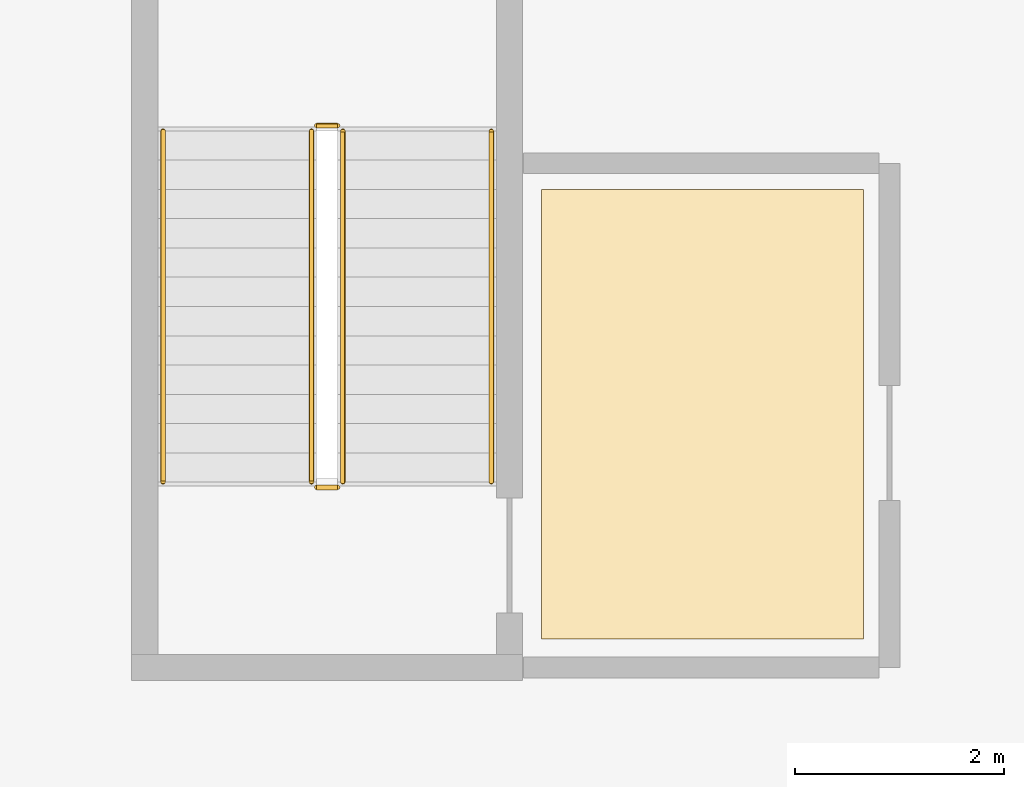
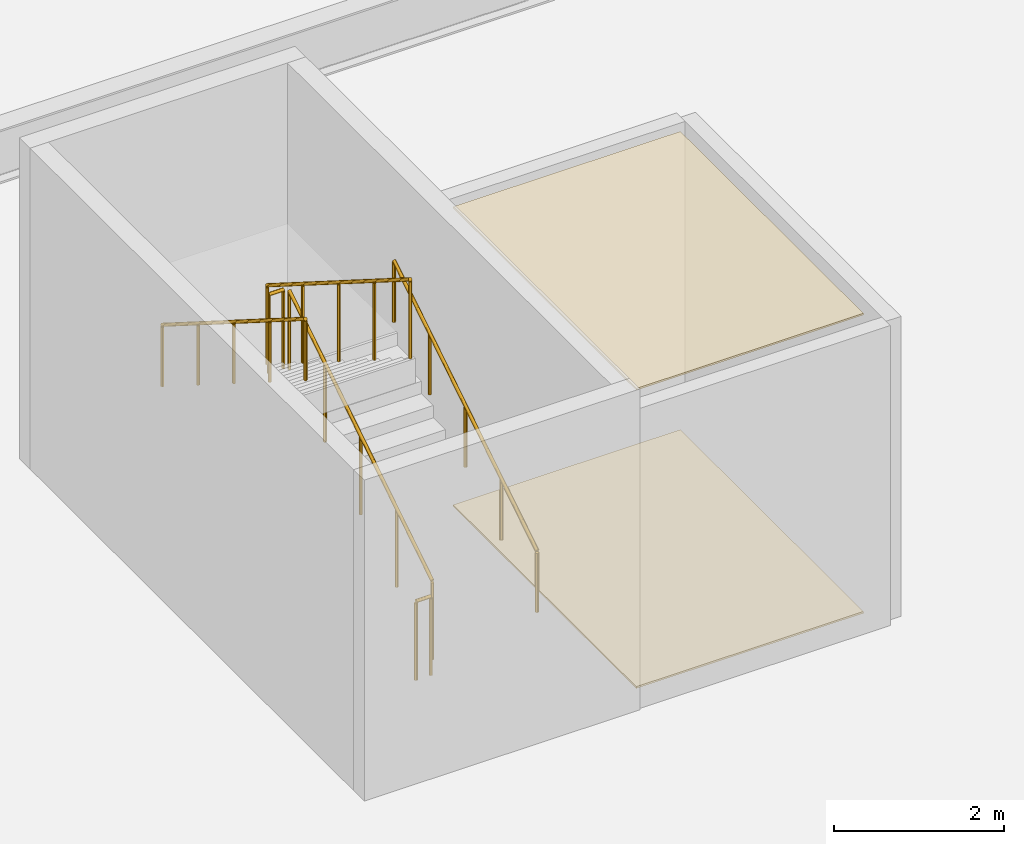
# One storey, part 32 of 45: 6 railings, 2 coverings.
"""IFC4 building model written with IfcOpenShell, lengths in metres."""

from ifc_helpers import new_model, si_unit, direction, frame, origin, origin_2d, place, context, subcontext, project, spatial, polyline, circle, outline, extrude, material, layer, layer_set, type_object, element, save


model = new_model("IFC4")

# Units and contexts
model_context = context("Model", 3, precision=1e-05, world=origin(), true_north=direction((0.0, 1.0)))
body_context = subcontext(model_context, "Body", "Model", "MODEL_VIEW")
ifc_project = project(units=[si_unit("LENGTHUNIT", "METRE"), si_unit("AREAUNIT", "SQUARE_METRE"), si_unit("VOLUMEUNIT", "CUBIC_METRE"), si_unit("PLANEANGLEUNIT", "RADIAN"), si_unit("MASSUNIT", "GRAM", prefix="KILO")], contexts=[model_context])

# Site, building, storey
site_placement = place(None, origin())
site = spatial("IfcSite", under=ifc_project, at=site_placement, CompositionType="ELEMENT")
building_placement = place(site_placement, origin())
building = spatial("IfcBuilding", under=site, at=building_placement, Name="Korimba Cascade Residences", CompositionType="ELEMENT")
storey_placement = place(building_placement, frame((0.0, 0.0, 5.39990234375)))
storey = spatial("IfcBuildingStorey", under=building, at=storey_placement, Name="L01", CompositionType="ELEMENT", Elevation=5.39990234375)

# Coverings
ifc_material_1 = material(Name="Perforated Acoustic Gypsum Ceiling", Category="gypsum")
ifc_layer_1 = layer(ifc_material_1, 0.02490234375)
ifc_layer_set_1 = layer_set([ifc_layer_1], Name="Perforated Acoustic Gypsum Ceiling")
covering_type_1 = type_object("IfcCoveringType", Name="COV-CLG-AC", PredefinedType="CEILING", material=ifc_layer_set_1)
covering_1_placement = place(storey_placement, frame((0.0, 0.0, 4.275146484375)))
element("IfcCovering", 1, at=covering_1_placement, inside=storey, type_object=covering_type_1, Name="L01 Suspended Acoustic Ceiling L01-PL3", PredefinedType="CEILING", context=body_context, shape_type="SweptSolid", body=[
    extrude(outline(polyline([(61.669921875, -12.64990234375), (64.75, -12.64990234375), (64.75, -8.35009765625), (61.669921875, -8.35009765625), (61.669921875, -12.64990234375)])), origin(), (0.0, 0.0, 1.0), 0.02490234375),
])
ifc_material_2 = material(Name="Honed Travertine Stone Flooring", Category="masonry")
ifc_layer_2 = layer(ifc_material_2, 0.02490234375)
ifc_layer_set_2 = layer_set([ifc_layer_2], Name="Honed Travertine Stone Flooring")
covering_type_2 = type_object("IfcCoveringType", Name="COV-FLR-STN", PredefinedType="FLOORING", material=ifc_layer_set_2)
covering_2_placement = place(storey_placement, origin())
element("IfcCovering", 2, at=covering_2_placement, inside=storey, type_object=covering_type_2, Name="L01 Honed Travertine Stone Flooring L01-PL3", PredefinedType="FLOORING", context=body_context, shape_type="SweptSolid", body=[
    extrude(outline(polyline([(61.669921875, -12.64990234375), (64.75, -12.64990234375), (64.75, -8.35009765625), (61.669921875, -8.35009765625), (61.669921875, -12.64990234375)])), origin(), (0.0, 0.0, 1.0), 0.025146484375),
])

# Railings
ifc_material_3 = material(Name="Painted Steel Stairwell Guardrail", Category="steel")
railing_type_1 = type_object("IfcRailingType", Name="RLG-ST-GD1150", PredefinedType="GUARDRAIL", material=ifc_material_3)
railing_1_placement = place(storey_placement, frame((59.77001953125, -11.14990234375, 0.177001953125)))
element("IfcRailing", 3, at=railing_1_placement, inside=storey, type_object=railing_type_1, Name="L01 ST-P3 stair guard 1", PredefinedType="GUARDRAIL", context=body_context, shape_type="SweptSolid", body=[
    extrude(circle(Radius=0.02392578125, at=origin_2d()), frame((0.0, 0.0, 1.1259765625), z_axis=(0.0, 0.845372108799, 0.534177870812), x_axis=(-1.0, 0.0, 0.0)), (0.0, 0.0, 1.0), 3.974365234375),
    extrude(circle(Radius=0.02099609375, at=origin_2d()), origin(), (0.0, 0.0, 1.0), 1.101806640625),
    extrude(circle(Radius=0.02099609375, at=origin_2d()), frame((0.0, 0.83984375, 0.53076171875)), (0.0, 0.0, 1.0), 1.101806640625),
    extrude(circle(Radius=0.02099609375, at=origin_2d()), frame((0.0, 1.679931640625, 1.0615234375)), (0.0, 0.0, 1.0), 1.101806640625),
    extrude(circle(Radius=0.02099609375, at=origin_2d()), frame((0.0, 2.52001953125, 1.59228515625)), (0.0, 0.0, 1.0), 1.101806640625),
    extrude(circle(Radius=0.02099609375, at=origin_2d()), frame((0.0, 3.35986328125, 2.123046875)), (0.0, 0.0, 1.0), 1.101806640625),
])
railing_2_placement = place(storey_placement, frame((59.719970703125, -7.739990234375, 2.300048828125)))
element("IfcRailing", 4, at=railing_2_placement, inside=storey, type_object=railing_type_1, Name="L01 ST-P3 stair guard 2", PredefinedType="GUARDRAIL", context=body_context, shape_type="SweptSolid", body=[
    extrude(circle(Radius=0.02392578125, at=origin_2d()), frame((0.0, 0.0, 1.1259765625), z_axis=(-1.0, 0.0, 0.0), x_axis=(0.0, -1.0, 0.0)), (0.0, 0.0, 1.0), 0.199951171875),
    extrude(circle(Radius=0.02099609375, at=origin_2d()), origin(), (0.0, 0.0, 1.0), 1.101806640625),
    extrude(circle(Radius=0.02099609375, at=origin_2d()), frame((-0.199951171875, 0.0, 0.0)), (0.0, 0.0, 1.0), 1.101806640625),
])
railing_3_placement = place(storey_placement, frame((59.469970703125, -7.7900390625, 2.47705078125)))
element("IfcRailing", 5, at=railing_3_placement, inside=storey, type_object=railing_type_1, Name="L01 ST-P3 stair guard 3", PredefinedType="GUARDRAIL", context=body_context, shape_type="SweptSolid", body=[
    extrude(circle(Radius=0.02392578125, at=origin_2d()), frame((0.0, 0.0, 1.1259765625), z_axis=(0.0, -0.845372108799, 0.534177870812), x_axis=(1.0, 0.0, 0.0)), (0.0, 0.0, 1.0), 3.974365234375),
    extrude(circle(Radius=0.02099609375, at=origin_2d()), origin(), (0.0, 0.0, 1.0), 1.101806640625),
    extrude(circle(Radius=0.02099609375, at=origin_2d()), frame((0.0, -0.83984375, 0.53076171875)), (0.0, 0.0, 1.0), 1.101806640625),
    extrude(circle(Radius=0.02099609375, at=origin_2d()), frame((0.0, -1.679931640625, 1.0615234375)), (0.0, 0.0, 1.0), 1.101806640625),
    extrude(circle(Radius=0.02099609375, at=origin_2d()), frame((0.0, -2.52001953125, 1.59228515625)), (0.0, 0.0, 1.0), 1.101806640625),
    extrude(circle(Radius=0.02099609375, at=origin_2d()), frame((0.0, -3.35986328125, 2.123046875)), (0.0, 0.0, 1.0), 1.101806640625),
])
railing_4_placement = place(storey_placement, frame((59.719970703125, -11.199951171875, 0.0)))
element("IfcRailing", 6, at=railing_4_placement, inside=storey, type_object=railing_type_1, Name="L01 ST-P3 stair guard 4", PredefinedType="GUARDRAIL", context=body_context, shape_type="SweptSolid", body=[
    extrude(circle(Radius=0.02392578125, at=origin_2d()), frame((0.0, 0.0, 1.1259765625), z_axis=(-1.0, 0.0, 0.0), x_axis=(0.0, -1.0, 0.0)), (0.0, 0.0, 1.0), 0.199951171875),
    extrude(circle(Radius=0.02099609375, at=origin_2d()), origin(), (0.0, 0.0, 1.0), 1.101806640625),
    extrude(circle(Radius=0.02099609375, at=origin_2d()), frame((-0.199951171875, 0.0, 0.0)), (0.0, 0.0, 1.0), 1.101806640625),
])
ifc_material_4 = material(Name="Brushed Stainless Steel Handrail", Category="steel")
railing_type_2 = type_object("IfcRailingType", Name="RLG-ST-HR900", PredefinedType="HANDRAIL", material=ifc_material_4)
railing_5_placement = place(storey_placement, frame((61.18994140625, -11.14990234375, 0.357666015625)))
element("IfcRailing", 7, at=railing_5_placement, inside=storey, type_object=railing_type_2, Name="L01 ST-P3 stair handrail 1", PredefinedType="HANDRAIL", context=body_context, shape_type="SweptSolid", body=[
    extrude(circle(Radius=0.02392578125, at=origin_2d()), frame((0.0, 0.0, 0.8759765625), z_axis=(0.0, 0.845372108799, 0.534177870812), x_axis=(-1.0, 0.0, 0.0)), (0.0, 0.0, 1.0), 3.974365234375),
    extrude(circle(Radius=0.02099609375, at=origin_2d()), origin(), (0.0, 0.0, 1.0), 0.851806640625),
    extrude(circle(Radius=0.02099609375, at=origin_2d()), frame((0.0, 0.83984375, 0.53076171875)), (0.0, 0.0, 1.0), 0.851806640625),
    extrude(circle(Radius=0.02099609375, at=origin_2d()), frame((0.0, 1.679931640625, 1.0615234375)), (0.0, 0.0, 1.0), 0.851806640625),
    extrude(circle(Radius=0.02099609375, at=origin_2d()), frame((0.0, 2.52001953125, 1.59228515625)), (0.0, 0.0, 1.0), 0.851806640625),
    extrude(circle(Radius=0.02099609375, at=origin_2d()), frame((0.0, 3.35986328125, 2.123046875)), (0.0, 0.0, 1.0), 0.851806640625),
])
railing_6_placement = place(storey_placement, frame((58.050048828125, -7.7900390625, 2.65771484375)))
element("IfcRailing", 8, at=railing_6_placement, inside=storey, type_object=railing_type_2, Name="L01 ST-P3 stair handrail 2", PredefinedType="HANDRAIL", context=body_context, shape_type="SweptSolid", body=[
    extrude(circle(Radius=0.02392578125, at=origin_2d()), frame((0.0, 0.0, 0.8759765625), z_axis=(0.0, -0.845372108799, 0.534177870812), x_axis=(1.0, 0.0, 0.0)), (0.0, 0.0, 1.0), 3.974365234375),
    extrude(circle(Radius=0.02099609375, at=origin_2d()), origin(), (0.0, 0.0, 1.0), 0.851806640625),
    extrude(circle(Radius=0.02099609375, at=origin_2d()), frame((0.0, -0.83984375, 0.53076171875)), (0.0, 0.0, 1.0), 0.851806640625),
    extrude(circle(Radius=0.02099609375, at=origin_2d()), frame((0.0, -1.679931640625, 1.0615234375)), (0.0, 0.0, 1.0), 0.851806640625),
    extrude(circle(Radius=0.02099609375, at=origin_2d()), frame((0.0, -2.52001953125, 1.59228515625)), (0.0, 0.0, 1.0), 0.851806640625),
    extrude(circle(Radius=0.02099609375, at=origin_2d()), frame((0.0, -3.35986328125, 2.123046875)), (0.0, 0.0, 1.0), 0.851806640625),
])

save(model, "model.ifc")
